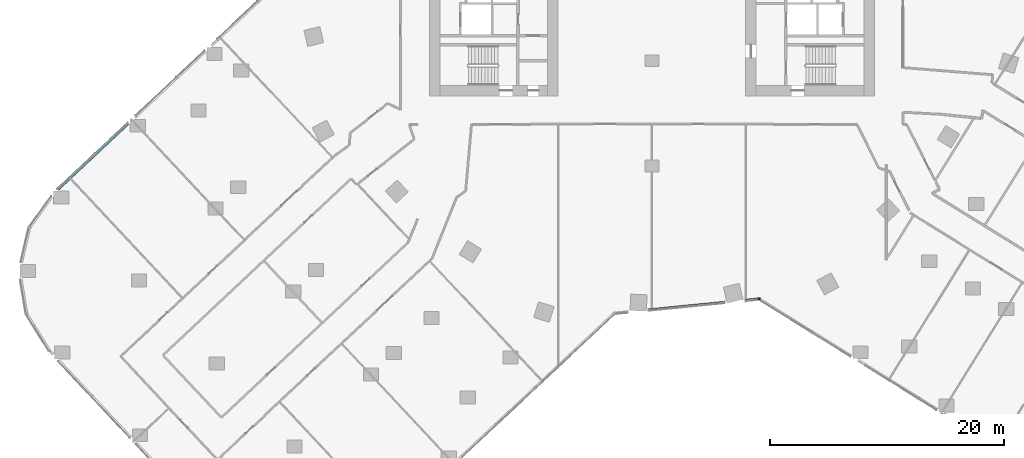
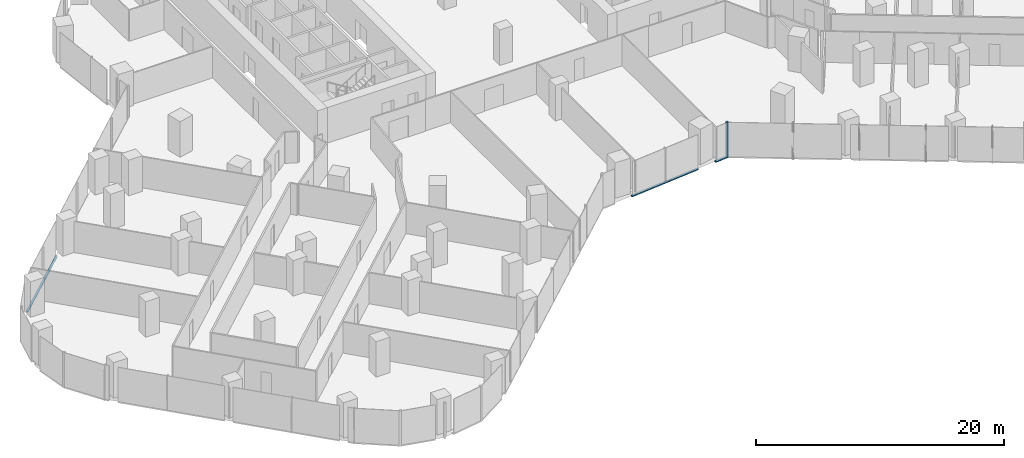
# One storey, part 5 of 34: 4 members, 2 elements without a shape of their own.
"""IFC4 building model written with IfcOpenShell, lengths in metres."""

from ifc_helpers import new_model, si_unit, direction, frame, origin, origin_2d, place, context, subcontext, project, spatial, rectangle, extrude, material, material_profile, profile_set, type_object, element, aggregate, save


model = new_model("IFC4")

# Units and contexts
model_context = context("Model", 3, precision=1e-05, world=origin(), true_north=direction((0.0, 1.0)))
body_context = subcontext(model_context, "Body", "Model", "MODEL_VIEW")
ifc_project = project(units=[si_unit("LENGTHUNIT", "METRE"), si_unit("AREAUNIT", "SQUARE_METRE"), si_unit("VOLUMEUNIT", "CUBIC_METRE"), si_unit("PLANEANGLEUNIT", "RADIAN"), si_unit("MASSUNIT", "GRAM", prefix="KILO")], contexts=[model_context])

# Site, building, storey
site_placement = place(None, origin())
site = spatial("IfcSite", under=ifc_project, at=site_placement, CompositionType="ELEMENT")
building_placement = place(site_placement, origin())
building = spatial("IfcBuilding", under=site, at=building_placement, Name="Orlundy Tower", CompositionType="ELEMENT")
storey_placement = place(building_placement, frame((0.0, 0.0, 44.300048828125)))
storey = spatial("IfcBuildingStorey", under=building, at=storey_placement, Name="L09", CompositionType="ELEMENT", Elevation=44.300048828125)

# Curtain wall, member
ifc_material_1 = material(Name="Aluminium bronze anodised", Category="aluminium")
curtain_wall_type = type_object("IfcCurtainWallType", Name="CW1 wall", PredefinedType="NOTDEFINED", material=ifc_material_1)
curtain_wall_1_placement = place(storey_placement, origin())
curtain_wall_1 = element("IfcCurtainWall", 1, at=curtain_wall_1_placement, inside=storey, type_object=curtain_wall_type, Name="CW1 run 017", PredefinedType="NOTDEFINED")
ifc_material_2 = material(Name="Aluminium bronze anodised", Category="aluminium")
ifc_material_profile_1 = material_profile(ifc_material_2, rectangle(XDim=0.179931640625, YDim=0.179931640625, at=origin_2d()), Name="CW1 corner post 180x180")
ifc_profile_set_1 = profile_set([ifc_material_profile_1], Name="Aluminium bronze anodised")
member_type_1 = type_object("IfcMemberType", Name="CW1 corner post 180x180", PredefinedType="MULLION", material=ifc_profile_set_1)
member_1_placement = place(storey_placement, frame((9.153564453125, -29.32958984375, -0.420166015625), z_axis=(0.0, 0.0, 1.0), x_axis=(0.098750373279, -0.995112236774, 0.0)))
member_1 = element("IfcMember", 2, at=member_1_placement, type_object=member_type_1, Name="CW1 mullion 49", PredefinedType="MULLION", context=body_context, shape_type="SweptSolid", body=[
    extrude(rectangle(XDim=0.179931640625, YDim=0.179931640625, at=origin_2d()), origin(), (0.0, 0.0, 1.0), 3.5),
])

curtain_wall_2_placement = place(storey_placement, origin())
curtain_wall_2 = element("IfcCurtainWall", 3, at=curtain_wall_2_placement, inside=storey, type_object=curtain_wall_type, Name="CW1 run 00", PredefinedType="NOTDEFINED")
ifc_material_3 = material(Name="Aluminium bronze anodised", Category="aluminium")
ifc_material_profile_2 = material_profile(ifc_material_3, rectangle(XDim=0.179931640625, YDim=0.1201171875, at=origin_2d()), Name="CW1 transom 180x120")
ifc_profile_set_2 = profile_set([ifc_material_profile_2], Name="Aluminium bronze anodised")
member_type_2 = type_object("IfcMemberType", Name="CW1 transom 180x120", PredefinedType="USERDEFINED", material=ifc_profile_set_2)
member_2_placement = place(storey_placement, frame((-50.68310546875, -19.9951171875, -0.360107421875), z_axis=(0.729351221798, 0.684139456005, 0.0), x_axis=(-0.684139456005, 0.729351221798, 0.0)))
member_2 = element("IfcMember", 4, at=member_2_placement, type_object=member_type_2, Name="CW1 transom", ObjectType="TRANSOM", PredefinedType="USERDEFINED", context=body_context, shape_type="SweptSolid", body=[
    extrude(rectangle(XDim=0.179931640625, YDim=0.1201171875, at=origin_2d()), origin(), (0.0, 0.0, 1.0), 8.2294921875),
])
aggregate(curtain_wall_2, [member_2])

# Member
member_3_placement = place(storey_placement, frame((9.06396484375, -29.33837890625, -0.360107421875), z_axis=(-0.995095778729, -0.098916081385, 0.0), x_axis=(0.098916081385, -0.995095778729, 0.0)))
member_3 = element("IfcMember", 5, at=member_3_placement, type_object=member_type_2, Name="CW1 transom", ObjectType="TRANSOM", PredefinedType="USERDEFINED", context=body_context, shape_type="SweptSolid", body=[
    extrude(rectangle(XDim=0.179931640625, YDim=0.1201171875, at=origin_2d()), origin(), (0.0, 0.0, 1.0), 1.110595703125),
])

member_4_placement = place(storey_placement, frame((6.2509765625, -29.61767578125, -0.360107421875), z_axis=(-0.995113533405, -0.098737306191, 0.0), x_axis=(0.098737306191, -0.995113533405, 0.0)))
member_4 = element("IfcMember", 6, at=member_4_placement, type_object=member_type_2, Name="CW1 transom", ObjectType="TRANSOM", PredefinedType="USERDEFINED", context=body_context, shape_type="SweptSolid", body=[
    extrude(rectangle(XDim=0.179931640625, YDim=0.1201171875, at=origin_2d()), origin(), (0.0, 0.0, 1.0), 6.592041015625),
])

aggregate(curtain_wall_1, [member_1, member_3, member_4])

save(model, "model.ifc")
